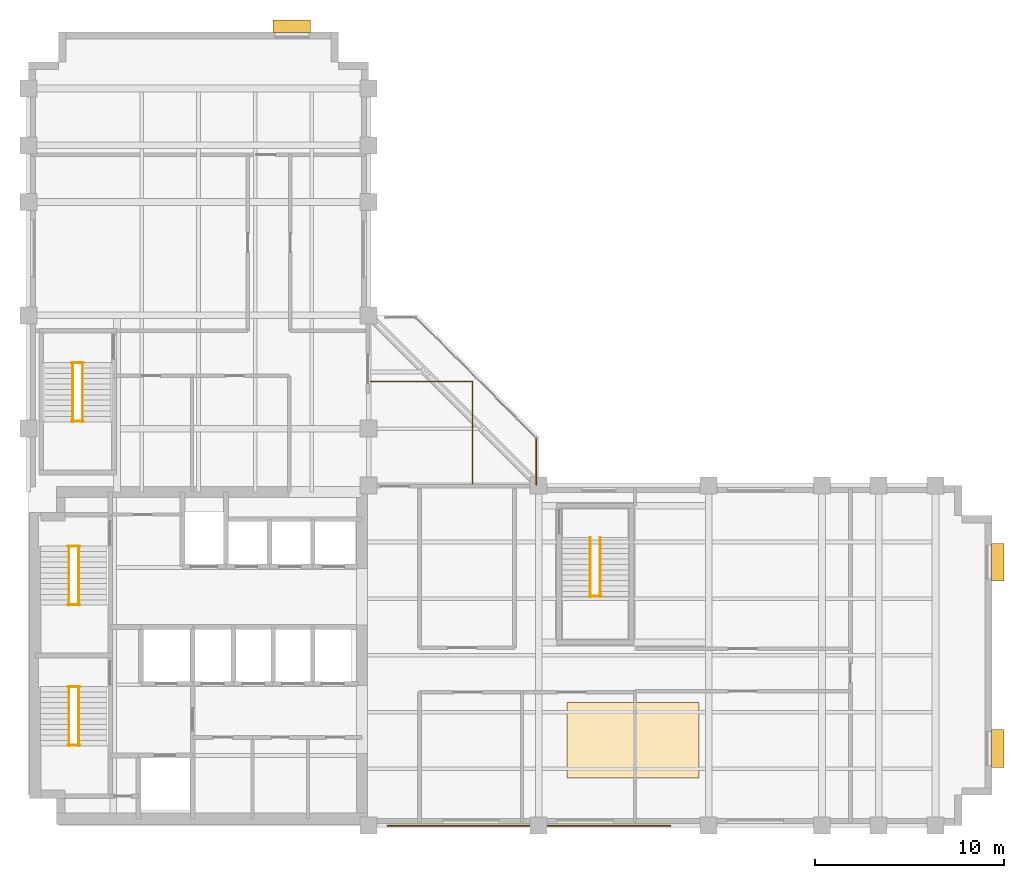
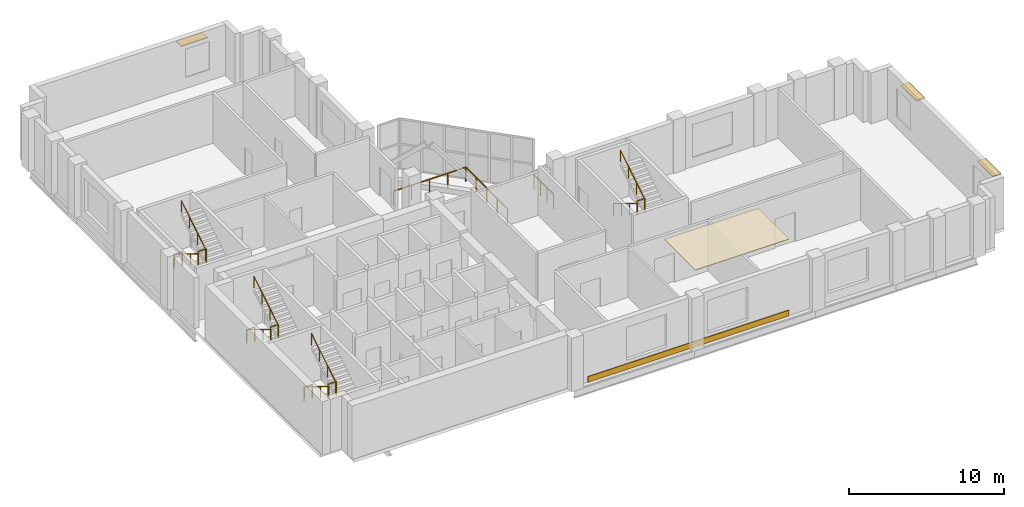
# One storey, part 9 of 9: 17 railings, 3 shading devices, 2 coverings.
"""IFC4 building model written with IfcOpenShell, lengths in metres."""

from ifc_helpers import new_model, si_unit, direction, frame, origin, origin_2d, place, context, subcontext, project, spatial, polyline, rectangle, circle, outline, extrude, material, layer, layer_set, type_object, element, save


model = new_model("IFC4")

# Units and contexts
model_context = context("Model", 3, precision=1e-05, world=origin(), true_north=direction((0.0, 1.0)))
body_context = subcontext(model_context, "Body", "Model", "MODEL_VIEW")
ifc_project = project(units=[si_unit("LENGTHUNIT", "METRE"), si_unit("AREAUNIT", "SQUARE_METRE"), si_unit("VOLUMEUNIT", "CUBIC_METRE"), si_unit("PLANEANGLEUNIT", "RADIAN"), si_unit("MASSUNIT", "GRAM", prefix="KILO")], contexts=[model_context])

# Site, building, storey
site_placement = place(None, origin())
site = spatial("IfcSite", under=ifc_project, at=site_placement, CompositionType="ELEMENT")
building_placement = place(site_placement, origin())
building = spatial("IfcBuilding", under=site, at=building_placement, Name="Mawjdan Bourse Tower", CompositionType="ELEMENT")
storey_placement = place(building_placement, frame((0.0, 0.0, 160.199951171875)))
storey = spatial("IfcBuildingStorey", under=building, at=storey_placement, Name="L38", CompositionType="ELEMENT", Elevation=160.199951171875)

# Coverings
ifc_material_1 = material(Name="Honed Qatari Limestone Coping", Category="masonry")
ifc_layer_1 = layer(ifc_material_1, 0.054931640625)
ifc_layer_set_1 = layer_set([ifc_layer_1], Name="Honed Qatari Limestone Coping")
covering_type_1 = type_object("IfcCoveringType", Name="COV-CLD-SPN", PredefinedType="CLADDING", material=ifc_layer_set_1)
covering_1_placement = place(storey_placement, origin())
element("IfcCovering", 1, at=covering_1_placement, inside=storey, type_object=covering_type_1, Name="L38 Limestone Spandrel Coping Trim", PredefinedType="CLADDING", context=body_context, shape_type="SweptSolid", body=[
    extrude(outline(polyline([(25.0, 2.949951171875), (40.0, 2.949951171875), (40.0, 3.010009765625), (25.0, 3.010009765625), (25.0, 2.949951171875)])), origin(), (0.0, 0.0, 1.0), 0.449951171875),
])
ifc_material_2 = material(Name="Perforated Mineral-Fibre Acoustic Ceiling")
ifc_layer_2 = layer(ifc_material_2, 0.044921875)
ifc_layer_set_2 = layer_set([ifc_layer_2], Name="Perforated Mineral-Fibre Acoustic Ceiling")
covering_type_2 = type_object("IfcCoveringType", Name="COV-CLG-AC", PredefinedType="CEILING", material=ifc_layer_set_2)
covering_2_placement = place(storey_placement, frame((0.0, 0.0, 3.955078125)))
element("IfcCovering", 2, at=covering_2_placement, inside=storey, type_object=covering_type_2, Name="L38 Suspended Acoustic Ceiling", PredefinedType="CEILING", context=body_context, shape_type="SweptSolid", body=[
    extrude(outline(polyline([(34.5, 5.5), (41.5, 5.5), (41.5, 9.5), (34.5, 9.5), (34.5, 5.5)])), origin(), (0.0, 0.0, 1.0), 0.044921875),
])

# Railings
ifc_material_3 = material(Name="Stainless Steel and Laminated Glass", Category="steel")
railing_type_1 = type_object("IfcRailingType", Name="RLG-BAL-1150", PredefinedType="BALUSTRADE", material=ifc_material_3)
railing_1_placement = place(storey_placement, frame((24.10009765625, 26.5, 0.0)))
element("IfcRailing", 3, at=railing_1_placement, inside=storey, type_object=railing_type_1, Name="L38 Atrium Sky Bridge Inner Balustrade", PredefinedType="BALUSTRADE", context=body_context, shape_type="SweptSolid", body=[
    extrude(circle(Radius=0.02685546875, at=origin_2d()), frame((0.0, 0.0, 1.123046875), z_axis=(1.0, 0.0, 0.0), x_axis=(0.0, 1.0, 0.0)), (0.0, 0.0, 1.0), 5.39990234375),
    extrude(circle(Radius=0.02685546875, at=origin_2d()), frame((5.39990234375, 0.0, 1.123046875), z_axis=(0.0, -1.0, 0.0), x_axis=(1.0, 0.0, 0.0)), (0.0, 0.0, 1.0), 5.39990234375),
    extrude(circle(Radius=0.02294921875, at=origin_2d()), origin(), (0.0, 0.0, 1.0), 1.095947265625),
    extrude(circle(Radius=0.02294921875, at=origin_2d()), frame((1.35009765625, 0.0, 0.0)), (0.0, 0.0, 1.0), 1.095947265625),
    extrude(circle(Radius=0.02294921875, at=origin_2d()), frame((2.699951171875, 0.0, 0.0)), (0.0, 0.0, 1.0), 1.095947265625),
    extrude(circle(Radius=0.02294921875, at=origin_2d()), frame((4.0498046875, 0.0, 0.0)), (0.0, 0.0, 1.0), 1.095947265625),
    extrude(circle(Radius=0.02294921875, at=origin_2d()), frame((5.39990234375, 0.0, 0.0)), (0.0, 0.0, 1.0), 1.095947265625),
    extrude(circle(Radius=0.02294921875, at=origin_2d()), frame((5.39990234375, -1.35009765625, 0.0)), (0.0, 0.0, 1.0), 1.095947265625),
    extrude(circle(Radius=0.02294921875, at=origin_2d()), frame((5.39990234375, -2.699951171875, 0.0)), (0.0, 0.0, 1.0), 1.095947265625),
    extrude(circle(Radius=0.02294921875, at=origin_2d()), frame((5.39990234375, -4.0498046875, 0.0)), (0.0, 0.0, 1.0), 1.095947265625),
    extrude(circle(Radius=0.02294921875, at=origin_2d()), frame((5.39990234375, -5.39990234375, 0.0)), (0.0, 0.0, 1.0), 1.095947265625),
])
railing_2_placement = place(storey_placement, frame((32.8798828125, 21.0400390625, 0.0)))
element("IfcRailing", 4, at=railing_2_placement, inside=storey, type_object=railing_type_1, Name="L38 Atrium Sky Bridge East Return Balustrade", PredefinedType="BALUSTRADE", context=body_context, shape_type="SweptSolid", body=[
    extrude(circle(Radius=0.02685546875, at=origin_2d()), frame((0.0, 0.0, 1.123046875), z_axis=(0.0, 1.0, 0.0), x_axis=(-1.0, 0.0, 0.0)), (0.0, 0.0, 1.0), 2.52001953125),
    extrude(circle(Radius=0.02294921875, at=origin_2d()), origin(), (0.0, 0.0, 1.0), 1.095947265625),
    extrude(circle(Radius=0.02294921875, at=origin_2d()), frame((0.0, 0.840087890625, 0.0)), (0.0, 0.0, 1.0), 1.095947265625),
    extrude(circle(Radius=0.02294921875, at=origin_2d()), frame((0.0, 1.679931640625, 0.0)), (0.0, 0.0, 1.0), 1.095947265625),
    extrude(circle(Radius=0.02294921875, at=origin_2d()), frame((0.0, 2.52001953125, 0.0)), (0.0, 0.0, 1.0), 1.095947265625),
])
ifc_material_4 = material(Name="Structural Steel S355", Category="steel")
railing_type_2 = type_object("IfcRailingType", Name="RLG-GRD-1100", PredefinedType="GUARDRAIL", material=ifc_material_4)
for number, where, name in (
    (5, (8.090087890625, 7.235107421875, 2.10009765625), "L38 ST1 Landing Guardrail GL-MID"),
    (6, (8.090087890625, 10.330078125, 0.0), "L38 ST1 Landing Guardrail GL-BOT"),
    (7, (8.090087890625, 14.675048828125, 2.10009765625), "L38 ST2 Landing Guardrail GL-MID"),
    (8, (8.090087890625, 17.77001953125, 0.0), "L38 ST2 Landing Guardrail GL-BOT"),
    (9, (8.2900390625, 24.385009765625, 2.10009765625), "L38 ST3 Landing Guardrail GL-MID"),
    (10, (8.2900390625, 27.47998046875, 0.0), "L38 ST3 Landing Guardrail GL-BOT"),
):
    element("IfcRailing", number, at=place(storey_placement, frame(where)), inside=storey, type_object=railing_type_2, Name=name, PredefinedType="GUARDRAIL", context=body_context, shape_type="SweptSolid", body=[
        extrude(circle(Radius=0.02490234375, at=origin_2d()), frame((0.0, 0.0, 1.0751953125), z_axis=(1.0, 0.0, 0.0), x_axis=(0.0, 1.0, 0.0)), (0.0, 0.0, 1.0), 0.619873046875),
        extrude(circle(Radius=0.02099609375, at=origin_2d()), origin(), (0.0, 0.0, 1.0), 1.050048828125),
        extrude(circle(Radius=0.02099609375, at=origin_2d()), frame((0.619873046875, 0.0, 0.0)), (0.0, 0.0, 1.0), 1.050048828125),
    ])
railing_3_placement = place(storey_placement, frame((35.68994140625, 15.125, 2.10009765625)))
element("IfcRailing", 11, at=railing_3_placement, inside=storey, type_object=railing_type_2, Name="L38 ST5B Landing Guardrail GL-MID", PredefinedType="GUARDRAIL", context=body_context, shape_type="SweptSolid", body=[
    extrude(circle(Radius=0.02490234375, at=origin_2d()), frame((0.0, 0.0, 1.0751953125), z_axis=(1.0, 0.0, 0.0), x_axis=(0.0, 1.0, 0.0)), (0.0, 0.0, 1.0), 0.6201171875),
    extrude(circle(Radius=0.02099609375, at=origin_2d()), origin(), (0.0, 0.0, 1.0), 1.050048828125),
    extrude(circle(Radius=0.02099609375, at=origin_2d()), frame((0.6201171875, 0.0, 0.0)), (0.0, 0.0, 1.0), 1.050048828125),
])
ifc_material_5 = material(Name="Brushed Stainless Steel", Category="steel")
railing_type_3 = type_object("IfcRailingType", Name="RLG-HND-920", PredefinedType="HANDRAIL", material=ifc_material_5)
railing_4_placement = place(storey_placement, frame((8.139892578125, 10.35009765625, 0.175048828125)))
element("IfcRailing", 12, at=railing_4_placement, inside=storey, type_object=railing_type_3, Name="L38 ST1 Flight Handrail HR1", PredefinedType="HANDRAIL", context=body_context, shape_type="SweptSolid", body=[
    extrude(circle(Radius=0.0224609375, at=origin_2d()), frame((0.0, 0.0, 0.8974609375), z_axis=(0.0, -0.852166034122, 0.523271488128), x_axis=(1.0, 0.0, 0.0)), (0.0, 0.0, 1.0), 3.678955078125),
    extrude(circle(Radius=0.01904296875, at=origin_2d()), origin(), (0.0, 0.0, 1.0), 0.875),
    extrude(circle(Radius=0.01904296875, at=origin_2d()), frame((0.0, -1.044921875, 0.6416015625)), (0.0, 0.0, 1.0), 0.875),
    extrude(circle(Radius=0.01904296875, at=origin_2d()), frame((0.0, -2.090087890625, 1.283447265625)), (0.0, 0.0, 1.0), 0.875),
    extrude(circle(Radius=0.01904296875, at=origin_2d()), frame((0.0, -3.135009765625, 1.925048828125)), (0.0, 0.0, 1.0), 0.875),
])
railing_5_placement = place(storey_placement, frame((8.659912109375, 7.215087890625, 2.275146484375)))
element("IfcRailing", 13, at=railing_5_placement, inside=storey, type_object=railing_type_3, Name="L38 ST1 Flight Handrail HR2", PredefinedType="HANDRAIL", context=body_context, shape_type="SweptSolid", body=[
    extrude(circle(Radius=0.0224609375, at=origin_2d()), frame((0.0, 0.0, 0.8974609375), z_axis=(0.0, 0.852195625947, 0.523223293744), x_axis=(-1.0, 0.0, 0.0)), (0.0, 0.0, 1.0), 3.6787109375),
    extrude(circle(Radius=0.01904296875, at=origin_2d()), origin(), (0.0, 0.0, 1.0), 0.875),
    extrude(circle(Radius=0.01904296875, at=origin_2d()), frame((0.0, 1.044921875, 0.6416015625)), (0.0, 0.0, 1.0), 0.875),
    extrude(circle(Radius=0.01904296875, at=origin_2d()), frame((0.0, 2.090087890625, 1.283203125)), (0.0, 0.0, 1.0), 0.875),
    extrude(circle(Radius=0.01904296875, at=origin_2d()), frame((0.0, 3.135009765625, 1.9248046875)), (0.0, 0.0, 1.0), 0.875),
])
railing_6_placement = place(storey_placement, frame((8.139892578125, 17.7900390625, 0.175048828125)))
element("IfcRailing", 14, at=railing_6_placement, inside=storey, type_object=railing_type_3, Name="L38 ST2 Flight Handrail HR1", PredefinedType="HANDRAIL", context=body_context, shape_type="SweptSolid", body=[
    extrude(circle(Radius=0.0224609375, at=origin_2d()), frame((0.0, 0.0, 0.8974609375), z_axis=(0.0, -0.852166034122, 0.523271488128), x_axis=(1.0, 0.0, 0.0)), (0.0, 0.0, 1.0), 3.678955078125),
    extrude(circle(Radius=0.01904296875, at=origin_2d()), origin(), (0.0, 0.0, 1.0), 0.875),
    extrude(circle(Radius=0.01904296875, at=origin_2d()), frame((0.0, -1.044921875, 0.6416015625)), (0.0, 0.0, 1.0), 0.875),
    extrude(circle(Radius=0.01904296875, at=origin_2d()), frame((0.0, -2.090087890625, 1.283447265625)), (0.0, 0.0, 1.0), 0.875),
    extrude(circle(Radius=0.01904296875, at=origin_2d()), frame((0.0, -3.135009765625, 1.925048828125)), (0.0, 0.0, 1.0), 0.875),
])
railing_7_placement = place(storey_placement, frame((8.659912109375, 14.655029296875, 2.275146484375)))
element("IfcRailing", 15, at=railing_7_placement, inside=storey, type_object=railing_type_3, Name="L38 ST2 Flight Handrail HR2", PredefinedType="HANDRAIL", context=body_context, shape_type="SweptSolid", body=[
    extrude(circle(Radius=0.0224609375, at=origin_2d()), frame((0.0, 0.0, 0.8974609375), z_axis=(0.0, 0.852195625947, 0.523223293744), x_axis=(-1.0, 0.0, 0.0)), (0.0, 0.0, 1.0), 3.6787109375),
    extrude(circle(Radius=0.01904296875, at=origin_2d()), origin(), (0.0, 0.0, 1.0), 0.875),
    extrude(circle(Radius=0.01904296875, at=origin_2d()), frame((0.0, 1.044921875, 0.6416015625)), (0.0, 0.0, 1.0), 0.875),
    extrude(circle(Radius=0.01904296875, at=origin_2d()), frame((0.0, 2.090087890625, 1.283203125)), (0.0, 0.0, 1.0), 0.875),
    extrude(circle(Radius=0.01904296875, at=origin_2d()), frame((0.0, 3.135009765625, 1.9248046875)), (0.0, 0.0, 1.0), 0.875),
])
railing_8_placement = place(storey_placement, frame((8.340087890625, 27.5, 0.175048828125)))
element("IfcRailing", 16, at=railing_8_placement, inside=storey, type_object=railing_type_3, Name="L38 ST3 Flight Handrail HR1", PredefinedType="HANDRAIL", context=body_context, shape_type="SweptSolid", body=[
    extrude(circle(Radius=0.0224609375, at=origin_2d()), frame((0.0, 0.0, 0.8974609375), z_axis=(0.0, -0.852166034122, 0.523271488128), x_axis=(1.0, 0.0, 0.0)), (0.0, 0.0, 1.0), 3.678955078125),
    extrude(circle(Radius=0.01904296875, at=origin_2d()), origin(), (0.0, 0.0, 1.0), 0.875),
    extrude(circle(Radius=0.01904296875, at=origin_2d()), frame((0.0, -1.044921875, 0.6416015625)), (0.0, 0.0, 1.0), 0.875),
    extrude(circle(Radius=0.01904296875, at=origin_2d()), frame((0.0, -2.090087890625, 1.283447265625)), (0.0, 0.0, 1.0), 0.875),
    extrude(circle(Radius=0.01904296875, at=origin_2d()), frame((0.0, -3.135009765625, 1.925048828125)), (0.0, 0.0, 1.0), 0.875),
])
railing_9_placement = place(storey_placement, frame((8.860107421875, 24.364990234375, 2.275146484375)))
element("IfcRailing", 17, at=railing_9_placement, inside=storey, type_object=railing_type_3, Name="L38 ST3 Flight Handrail HR2", PredefinedType="HANDRAIL", context=body_context, shape_type="SweptSolid", body=[
    extrude(circle(Radius=0.0224609375, at=origin_2d()), frame((0.0, 0.0, 0.8974609375), z_axis=(0.0, 0.852195625947, 0.523223293744), x_axis=(-1.0, 0.0, 0.0)), (0.0, 0.0, 1.0), 3.6787109375),
    extrude(circle(Radius=0.01904296875, at=origin_2d()), origin(), (0.0, 0.0, 1.0), 0.875),
    extrude(circle(Radius=0.01904296875, at=origin_2d()), frame((0.0, 1.044921875, 0.6416015625)), (0.0, 0.0, 1.0), 0.875),
    extrude(circle(Radius=0.01904296875, at=origin_2d()), frame((0.0, 2.090087890625, 1.283203125)), (0.0, 0.0, 1.0), 0.875),
    extrude(circle(Radius=0.01904296875, at=origin_2d()), frame((0.0, 3.135009765625, 1.9248046875)), (0.0, 0.0, 1.0), 0.875),
])
railing_10_placement = place(storey_placement, frame((35.739990234375, 18.239990234375, 0.175048828125)))
element("IfcRailing", 18, at=railing_10_placement, inside=storey, type_object=railing_type_3, Name="L38 ST5B Flight Handrail HR1", PredefinedType="HANDRAIL", context=body_context, shape_type="SweptSolid", body=[
    extrude(circle(Radius=0.0224609375, at=origin_2d()), frame((0.0, 0.0, 0.8974609375), z_axis=(0.0, -0.852166034122, 0.523271488128), x_axis=(1.0, 0.0, 0.0)), (0.0, 0.0, 1.0), 3.678955078125),
    extrude(circle(Radius=0.01904296875, at=origin_2d()), origin(), (0.0, 0.0, 1.0), 0.875),
    extrude(circle(Radius=0.01904296875, at=origin_2d()), frame((0.0, -1.044921875, 0.6416015625)), (0.0, 0.0, 1.0), 0.875),
    extrude(circle(Radius=0.01904296875, at=origin_2d()), frame((0.0, -2.090087890625, 1.283447265625)), (0.0, 0.0, 1.0), 0.875),
    extrude(circle(Radius=0.01904296875, at=origin_2d()), frame((0.0, -3.135009765625, 1.925048828125)), (0.0, 0.0, 1.0), 0.875),
])
railing_11_placement = place(storey_placement, frame((36.260009765625, 15.10498046875, 2.275146484375)))
element("IfcRailing", 19, at=railing_11_placement, inside=storey, type_object=railing_type_3, Name="L38 ST5B Flight Handrail HR2", PredefinedType="HANDRAIL", context=body_context, shape_type="SweptSolid", body=[
    extrude(circle(Radius=0.0224609375, at=origin_2d()), frame((0.0, 0.0, 0.8974609375), z_axis=(0.0, 0.852195625947, 0.523223293744), x_axis=(-1.0, 0.0, 0.0)), (0.0, 0.0, 1.0), 3.6787109375),
    extrude(circle(Radius=0.01904296875, at=origin_2d()), origin(), (0.0, 0.0, 1.0), 0.875),
    extrude(circle(Radius=0.01904296875, at=origin_2d()), frame((0.0, 1.044921875, 0.6416015625)), (0.0, 0.0, 1.0), 0.875),
    extrude(circle(Radius=0.01904296875, at=origin_2d()), frame((0.0, 2.090087890625, 1.283203125)), (0.0, 0.0, 1.0), 0.875),
    extrude(circle(Radius=0.01904296875, at=origin_2d()), frame((0.0, 3.135009765625, 1.9248046875)), (0.0, 0.0, 1.0), 0.875),
])

# Shading devices
ifc_material_6 = material(Name="Bronze Anodised Aluminium", Category="aluminium")
ifc_layer_3 = layer(ifc_material_6, 0.074951171875)
ifc_layer_set_3 = layer_set([ifc_layer_3], Name="Bronze Anodised Aluminium")
shading_device_type = type_object("IfcShadingDeviceType", Name="SHD-SUN-650", PredefinedType="USERDEFINED", material=ifc_layer_set_3)
for number, where, z_axis, x_axis, name in (
    (20, (57.304931640625, 7.066650390625, 3.10009765625), (0.0, 0.0, 1.0), (0.0, 1.0, 0.0), "L38 Solar Window Hood 01"),
    (21, (57.304931640625, 16.933349609375, 3.10009765625), (0.0, 0.0, 1.0), (0.0, 1.0, 0.0), "L38 Solar Window Hood 02"),
    (22, (19.933349609375, 45.304931640625, 3.10009765625), (0.0, 0.0, 1.0), (-1.0, 0.0, 0.0), "L38 Solar Window Hood 04"),
):
    element("IfcShadingDevice", number, at=place(storey_placement, frame(where, z_axis=z_axis, x_axis=x_axis)), inside=storey, type_object=shading_device_type, Name=name, ObjectType="SUNSHADE", PredefinedType="USERDEFINED", context=body_context, shape_type="SweptSolid", body=[
        extrude(rectangle(XDim=2.0, YDim=0.64990234375, at=origin_2d()), origin(), (0.0, 0.0, 1.0), 0.074951171875),
    ])

save(model, "model.ifc")
